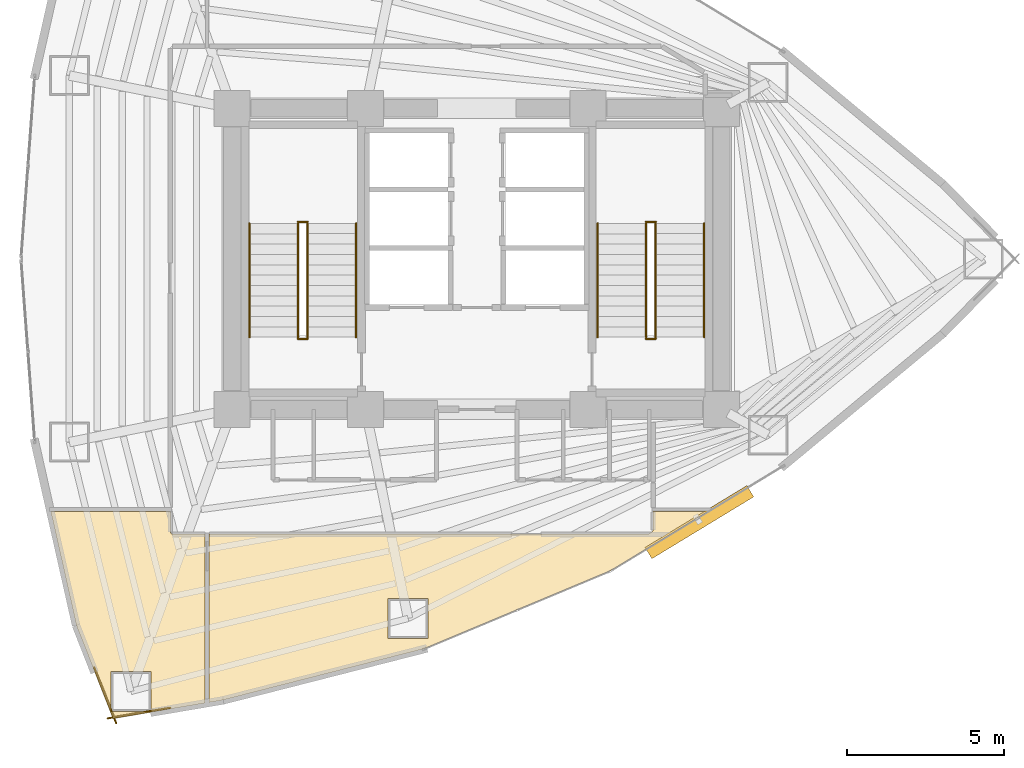
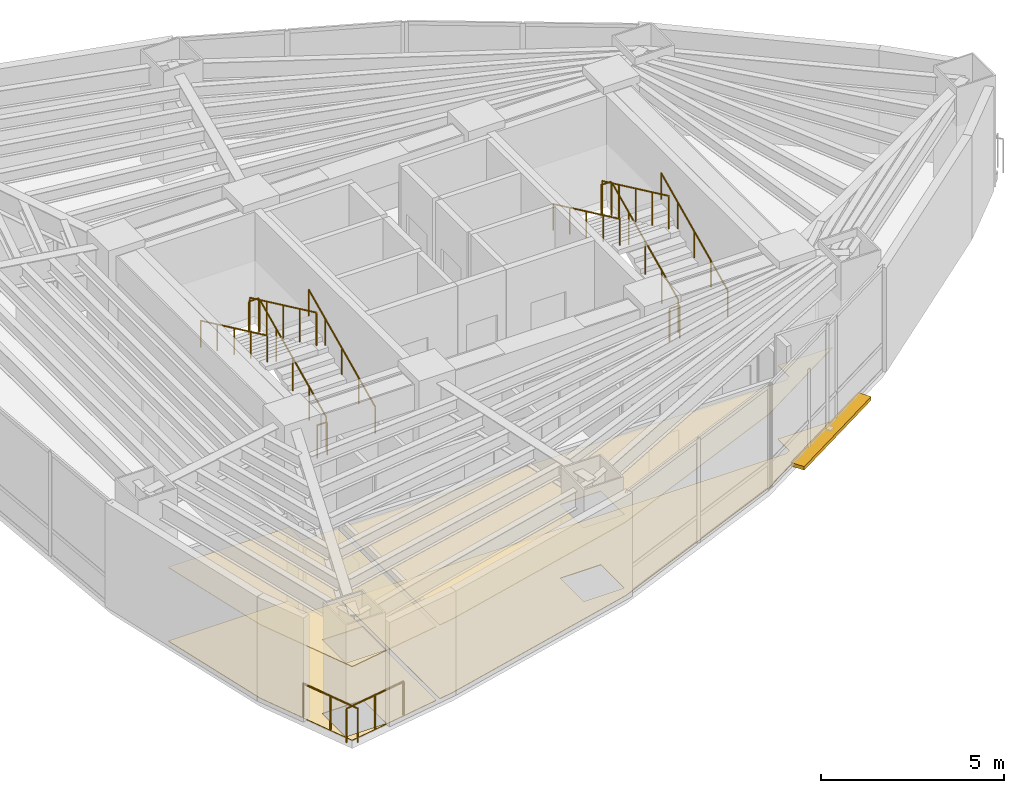
# One storey, part 17 of 18: 14 railings, 4 coverings, 1 shading device.
"""IFC4 building model written with IfcOpenShell, lengths in metres."""

import ifcopenshell
import ifcopenshell.guid

model = None  # the IFC model being written
_history = None  # IfcOwnerHistory: only IFC2X3 demands one
_inside = {}  # id of a spatial element -> (the spatial element, [elements in it])
_under = {}  # id of a project, library or spatial element -> (it, [spatial elements below it])
_declared = {}  # id of a project -> (the project, [libraries it declares])
_typed = {}  # id of a type object -> (the type object, [elements of that type])
_made_of = {}  # id of a material, layer set ... -> (it, [elements and type objects made of it])


def new_model(schema):
    """Start an empty IFC model of exactly this schema.

    Asked for "IFC4X3", IfcOpenShell would pick the latest addendum, in which some entities
    have other attributes; the version numbers below select the first issue.
    IFC2X3 requires an IfcOwnerHistory on every rooted entity: one is made here for all.
    """
    global model, _history
    if schema == "IFC4X3":
        model = ifcopenshell.file(schema_version=(4, 3, 0, 0))
    else:
        model = ifcopenshell.file(schema=schema)
    _inside.clear()
    _under.clear()
    _declared.clear()
    _typed.clear()
    _made_of.clear()
    _history = None
    if model.schema == "IFC2X3":
        org = make("IfcOrganization", Name="unknown")
        user = make(
            "IfcPersonAndOrganization",
            ThePerson=make("IfcPerson", FamilyName="unknown"),
            TheOrganization=org,
        )
        app = make(
            "IfcApplication",
            ApplicationDeveloper=org,
            Version="unknown",
            ApplicationFullName="unknown",
            ApplicationIdentifier="unknown",
        )
        _history = make(
            "IfcOwnerHistory",
            OwningUser=user,
            OwningApplication=app,
            ChangeAction="ADDED",
            CreationDate=0,
        )
    return model


def make(cls, **values):
    """One entity of the class cls with the attributes given. An attribute that is None is left unset."""
    return model.create_entity(
        cls, **{name: value for name, value in values.items() if value is not None}
    )


def rooted(cls, **values):
    """An entity with a GlobalId (a new one), such as an element, a storey or a relation."""
    return make(cls, GlobalId=ifcopenshell.guid.new(), OwnerHistory=_history, **values)


def si_unit(unit_type, name, prefix=None):
    """IfcSIUnit, for example si_unit("LENGTHUNIT", "METRE", prefix="MILLI")."""
    return make("IfcSIUnit", UnitType=unit_type, Prefix=prefix, Name=name)


def assignment(units):
    """IfcUnitAssignment: the units of a project."""
    return None if units is None else make("IfcUnitAssignment", Units=units)


def point(xyz):
    """IfcCartesianPoint."""
    return None if xyz is None else make("IfcCartesianPoint", Coordinates=xyz)


def direction(xyz):
    """IfcDirection."""
    return None if xyz is None else make("IfcDirection", DirectionRatios=xyz)


def frame(location, z_axis=None, x_axis=None):
    """IfcAxis2Placement3D, a coordinate frame: its origin and axes. An axis left out is left unset."""
    return make(
        "IfcAxis2Placement3D",
        Location=point(location),
        Axis=direction(z_axis),
        RefDirection=direction(x_axis),
    )


def frame_2d(location, x_axis=None):
    """IfcAxis2Placement2D, a coordinate frame in the plane: its origin and x axis."""
    return make(
        "IfcAxis2Placement2D", Location=point(location), RefDirection=direction(x_axis)
    )


def origin():
    """The frame at (0, 0, 0) with its axes left unset."""
    return frame((0.0, 0.0, 0.0))


def origin_2d():
    """The frame at (0, 0) in the plane with its x axis left unset."""
    return frame_2d((0.0, 0.0))


def place(relative_to, where):
    """IfcLocalPlacement: puts the frame where relative to a parent placement (None: the world)."""
    return make(
        "IfcLocalPlacement", PlacementRelTo=relative_to, RelativePlacement=where
    )


def context(
    kind, dimensions, precision=None, world=None, true_north=None, identifier=None
):
    """IfcGeometricRepresentationContext, for example the 3D "Model" context."""
    return make(
        "IfcGeometricRepresentationContext",
        ContextIdentifier=identifier,
        ContextType=kind,
        CoordinateSpaceDimension=dimensions,
        Precision=precision,
        WorldCoordinateSystem=world,
        TrueNorth=true_north,
    )


def subcontext(parent, identifier, kind, view, scale=None):
    """IfcGeometricRepresentationSubContext, for example "Body" below "Model"."""
    return make(
        "IfcGeometricRepresentationSubContext",
        ContextIdentifier=identifier,
        ContextType=kind,
        ParentContext=parent,
        TargetScale=scale,
        TargetView=view,
    )


def project(units=None, contexts=None):
    """IfcProject with its units and contexts."""
    return rooted(
        "IfcProject",
        Name="project",
        RepresentationContexts=contexts,
        UnitsInContext=assignment(units),
    )


def spatial(cls, under=None, at=None, **own):
    """A site, building, storey or space (cls), placed at a placement, below another one or the project."""
    s = rooted(cls, ObjectPlacement=at, **own)
    if under is not None:
        _under.setdefault(under.id(), (under, []))[1].append(s)
    return s


def polyline(points):
    """IfcPolyline through the points."""
    return make("IfcPolyline", Points=[point(p) for p in points])


def profile(cls, at=None, kind="AREA", **sizes):
    """A parametric profile (cls). Its sizes go by their IFC names, for example OverallWidth=200.0."""
    return make(cls, ProfileType=kind, Position=at, **sizes)


def rectangle(**sizes):
    """IfcRectangleProfileDef."""
    return profile("IfcRectangleProfileDef", **sizes)


def circle(**sizes):
    """IfcCircleProfileDef."""
    return profile("IfcCircleProfileDef", **sizes)


def outline(outer, holes=None, kind="AREA"):
    """IfcArbitraryClosedProfileDef: a profile drawn as a closed curve; with holes, ...WithVoids."""
    if holes is None:
        return make("IfcArbitraryClosedProfileDef", ProfileType=kind, OuterCurve=outer)
    return make(
        "IfcArbitraryProfileDefWithVoids",
        ProfileType=kind,
        OuterCurve=outer,
        InnerCurves=holes,
    )


def extrude(swept, where, along, depth):
    """IfcExtrudedAreaSolid: the profile swept, set in the frame where, extruded along a direction by depth."""
    return make(
        "IfcExtrudedAreaSolid",
        SweptArea=swept,
        Position=where,
        ExtrudedDirection=direction(along),
        Depth=depth,
    )


def shape(context_of_items, identifier, shape_type, items):
    """IfcShapeRepresentation: the items that make up one representation, for example the "Body"."""
    return make(
        "IfcShapeRepresentation",
        ContextOfItems=context_of_items,
        RepresentationIdentifier=identifier,
        RepresentationType=shape_type,
        Items=items,
    )


def material(Name=None, Category=None):
    """IfcMaterial."""
    return make("IfcMaterial", Name=Name, Category=Category)


def layer(
    of_material, thickness, ventilated=None, Name=None, Category=None, Priority=None
):
    """IfcMaterialLayer: one layer of a wall or slab, of a material (None: an air gap)."""
    return make(
        "IfcMaterialLayer",
        Material=of_material,
        LayerThickness=thickness,
        IsVentilated=ventilated,
        Name=Name,
        Category=Category,
        Priority=Priority,
    )


def layer_set(layers, Name=None):
    """IfcMaterialLayerSet."""
    return make("IfcMaterialLayerSet", MaterialLayers=layers, LayerSetName=Name)


def made_of(thing, what):
    """Note that an element or type object is made of a material, layer set ...; save() writes the relation."""
    if what is not None:
        _made_of.setdefault(what.id(), (what, []))[1].append(thing)
    return thing


def type_object(cls, material=None, **own):
    """A type object (cls), such as IfcWallType, which elements share."""
    return made_of(rooted(cls, **own), material)


def element(
    cls,
    number,
    at=None,
    inside=None,
    cuts=None,
    type_object=None,
    material=None,
    context=None,
    identifier="Body",
    shape_type=None,
    held_by="IfcProductDefinitionShape",
    body=None,
    shapes=None,
    **own,
):
    """One element of the class cls, such as IfcWall. Its Tag is "e" and its number.

    at: its placement. inside: the storey or other place that contains it. cuts: it is an
    opening in that element (IfcRelVoidsElement). A single representation is given by context,
    identifier, shape_type and body (its items); several are given by shapes. held_by: the class
    of the entity that holds the representations. save() writes the other relations.
    """
    e = rooted(cls, Tag="e%d" % number, ObjectPlacement=at, **own)
    if body is not None:
        shapes = [shape(context, identifier, shape_type, body)]
    if shapes is not None:
        e.Representation = make(held_by, Representations=shapes)
    if inside is not None:
        _inside.setdefault(inside.id(), (inside, []))[1].append(e)
    if cuts is not None:
        rooted(
            "IfcRelVoidsElement", RelatingBuildingElement=cuts, RelatedOpeningElement=e
        )
    if type_object is not None:
        _typed.setdefault(type_object.id(), (type_object, []))[1].append(e)
    return made_of(e, material)


def aggregate(whole, parts):
    """IfcRelAggregates: a whole, such as a stair, and the parts it consists of."""
    return rooted("IfcRelAggregates", RelatingObject=whole, RelatedObjects=parts)


def save(model, path):
    """Write the relations noted so far, then the file.

    IfcRelAggregates (storeys below a building ...), IfcRelContainedInSpatialStructure (elements
    in a storey), IfcRelDefinesByType, IfcRelAssociatesMaterial and IfcRelDeclares: one each for
    every whole, place, type object, material and project.
    """
    for whole, parts in _under.values():
        aggregate(whole, parts)
    for where, things in _inside.values():
        rooted(
            "IfcRelContainedInSpatialStructure",
            RelatedElements=things,
            RelatingStructure=where,
        )
    for kind, things in _typed.values():
        rooted("IfcRelDefinesByType", RelatedObjects=things, RelatingType=kind)
    for what, things in _made_of.values():
        rooted("IfcRelAssociatesMaterial", RelatedObjects=things, RelatingMaterial=what)
    for by, libraries in _declared.values():
        rooted("IfcRelDeclares", RelatingContext=by, RelatedDefinitions=libraries)
    model.write(path)


model = new_model("IFC4")

# Units and contexts
model_context = context("Model", 3, precision=1e-05, world=origin(), true_north=direction((0.0, 1.0)))
body_context = subcontext(model_context, "Body", "Model", "MODEL_VIEW")
ifc_project = project(units=[si_unit("LENGTHUNIT", "METRE"), si_unit("AREAUNIT", "SQUARE_METRE"), si_unit("VOLUMEUNIT", "CUBIC_METRE"), si_unit("PLANEANGLEUNIT", "RADIAN"), si_unit("MASSUNIT", "GRAM", prefix="KILO")], contexts=[model_context])

# Site, building, storey
site_placement = place(None, origin())
site = spatial("IfcSite", under=ifc_project, at=site_placement, CompositionType="ELEMENT")
building_placement = place(site_placement, origin())
building = spatial("IfcBuilding", under=site, at=building_placement, Name="Menara Vayukalpa", CompositionType="ELEMENT")
storey_placement = place(building_placement, frame((0.0, 0.0, 96.5400390625)))
storey = spatial("IfcBuildingStorey", under=building, at=storey_placement, Name="L23", CompositionType="ELEMENT", Elevation=96.5400390625)

# Coverings
ifc_material_1 = material(Name="Mineral Fibre Acoustic Ceiling Tile", Category="masonry")
ifc_layer_1 = layer(ifc_material_1, 0.02490234375)
ifc_layer_set_1 = layer_set([ifc_layer_1], Name="Mineral Fibre Acoustic Ceiling Tile")
covering_type_1 = type_object("IfcCoveringType", Name="COV-CLG1", PredefinedType="CEILING", material=ifc_layer_set_1)
covering_1_placement = place(storey_placement, frame((0.0, 0.0, 2.449951171875)))
element("IfcCovering", 1, at=covering_1_placement, inside=storey, type_object=covering_type_1, Name="L23 Executive Boardroom Acoustic Ceiling", PredefinedType="CEILING", context=body_context, shape_type="SweptSolid", body=[
    extrude(outline(polyline([(14.00634765625, 7.33642578125), (14.005615234375, 7.33642578125), (14.00439453125, 7.336669921875), (14.003662109375, 7.3369140625), (14.002685546875, 7.33740234375), (14.001708984375, 7.337646484375), (14.0009765625, 7.338134765625), (14.000244140625, 7.3388671875), (13.99951171875, 7.339599609375), (13.998779296875, 7.340087890625), (13.998291015625, 7.341064453125), (13.997802734375, 7.341796875), (13.997314453125, 7.3427734375), (12.831787109375, 10.310791015625), (12.83154296875, 10.3115234375), (12.831298828125, 10.312255859375), (12.017822265625, 13.927734375), (12.017578125, 13.9287109375), (12.017578125, 13.9296875), (12.017578125, 13.930908203125), (12.017822265625, 13.931884765625), (12.01806640625, 13.9326171875), (12.018310546875, 13.93359375), (12.018798828125, 13.9345703125), (12.019287109375, 13.935302734375), (12.019775390625, 13.936279296875), (12.0205078125, 13.93701171875), (12.021240234375, 13.937744140625), (12.02197265625, 13.938232421875), (12.022705078125, 13.938720703125), (12.023681640625, 13.939208984375), (12.024658203125, 13.939697265625), (12.025634765625, 13.939697265625), (12.026611328125, 13.93994140625), (12.027587890625, 13.93994140625), (15.820068359375, 13.93994140625), (15.821044921875, 13.93994140625), (15.822021484375, 13.939697265625), (15.822998046875, 13.939697265625), (15.82373046875, 13.939208984375), (15.82470703125, 13.938720703125), (15.82568359375, 13.938232421875), (15.826416015625, 13.937744140625), (15.8271484375, 13.93701171875), (15.82763671875, 13.936279296875), (15.828369140625, 13.935546875), (15.828857421875, 13.934814453125), (15.8291015625, 13.933837890625), (15.82958984375, 13.932861328125), (15.829833984375, 13.931884765625), (15.830078125, 13.930908203125), (15.830078125, 13.929931640625), (15.830078125, 13.290283203125), (15.830322265625, 13.283203125), (15.831298828125, 13.2763671875), (15.8330078125, 13.269775390625), (15.835205078125, 13.26318359375), (15.838134765625, 13.257080078125), (15.841796875, 13.251220703125), (15.845947265625, 13.24560546875), (15.8505859375, 13.240478515625), (15.85546875, 13.236083984375), (15.861083984375, 13.231689453125), (15.866943359375, 13.228271484375), (15.873291015625, 13.225341796875), (15.879638671875, 13.222900390625), (15.88623046875, 13.22119140625), (15.893310546875, 13.220458984375), (15.900390625, 13.219970703125), (16.929931640625, 13.219970703125), (16.930908203125, 13.219970703125), (16.931884765625, 13.2197265625), (16.932861328125, 13.219482421875), (16.933837890625, 13.21923828125), (16.934814453125, 13.21875), (16.935546875, 13.21826171875), (16.936279296875, 13.2177734375), (16.93701171875, 13.217041015625), (16.937744140625, 13.21630859375), (16.938232421875, 13.215576171875), (16.938720703125, 13.214599609375), (16.939208984375, 13.2138671875), (16.939697265625, 13.212890625), (16.939697265625, 13.2119140625), (16.93994140625, 13.2109375), (16.93994140625, 13.2099609375), (16.93994140625, 7.8427734375), (16.93994140625, 7.841796875), (16.939697265625, 7.8408203125), (16.939697265625, 7.839599609375), (16.939208984375, 7.8388671875), (16.938720703125, 7.837890625), (16.938232421875, 7.8369140625), (16.9375, 7.836181640625), (16.93701171875, 7.83544921875), (16.936279296875, 7.8349609375), (16.935302734375, 7.834228515625), (16.9345703125, 7.833740234375), (16.93359375, 7.83349609375), (16.9326171875, 7.8330078125), (16.931640625, 7.832763671875), (14.00830078125, 7.33642578125), (14.00732421875, 7.33642578125), (14.00634765625, 7.33642578125)]), holes=[polyline([(15.208984375, 8.842529296875), (13.92919921875, 8.842529296875), (13.92919921875, 7.5625), (15.208984375, 7.5625), (15.208984375, 8.842529296875)])]), origin(), (0.0, 0.0, 1.0), 0.02490234375),
])
covering_2_placement = place(storey_placement, frame((0.0, 0.0, 2.449951171875)))
element("IfcCovering", 2, at=covering_2_placement, inside=storey, type_object=covering_type_1, Name="L23 Digital Engineering Lab Acoustic Ceiling", PredefinedType="CEILING", context=body_context, shape_type="SweptSolid", body=[
    extrude(outline(polyline([(29.860595703125, 12.053466796875), (23.90478515625, 9.562255859375), (23.903564453125, 9.561767578125), (17.5087890625, 7.930908203125), (17.5078125, 7.9306640625), (17.07177734375, 7.8564453125), (17.07080078125, 7.8564453125), (17.06982421875, 7.8564453125), (17.06884765625, 7.8564453125), (17.06787109375, 7.856689453125), (17.06689453125, 7.85693359375), (17.06591796875, 7.857177734375), (17.065185546875, 7.857666015625), (17.064208984375, 7.858154296875), (17.0634765625, 7.85888671875), (17.062744140625, 7.859375), (17.062255859375, 7.860107421875), (17.0615234375, 7.86083984375), (17.06103515625, 7.86181640625), (17.060791015625, 7.862548828125), (17.060302734375, 7.863525390625), (17.060302734375, 7.864501953125), (17.06005859375, 7.865478515625), (17.06005859375, 7.866455078125), (17.06005859375, 13.2099609375), (17.06005859375, 13.2109375), (17.060302734375, 13.2119140625), (17.060302734375, 13.212890625), (17.060791015625, 13.2138671875), (17.061279296875, 13.214599609375), (17.061767578125, 13.215576171875), (17.062255859375, 13.21630859375), (17.06298828125, 13.217041015625), (17.063720703125, 13.2177734375), (17.064453125, 13.21826171875), (17.065185546875, 13.21875), (17.066162109375, 13.21923828125), (17.067138671875, 13.219482421875), (17.068115234375, 13.2197265625), (17.069091796875, 13.219970703125), (17.070068359375, 13.219970703125), (31.048828125, 13.219970703125), (31.055419921875, 13.22021484375), (31.0615234375, 13.22119140625), (31.06787109375, 13.22265625), (31.073974609375, 13.224609375), (31.079833984375, 13.22705078125), (31.085693359375, 13.230224609375), (31.186279296875, 13.29150390625), (31.192138671875, 13.295654296875), (31.19775390625, 13.30029296875), (31.202880859375, 13.305419921875), (31.207275390625, 13.31103515625), (31.2109375, 13.317138671875), (31.214111328125, 13.323486328125), (31.216796875, 13.330078125), (31.218505859375, 13.337158203125), (31.219482421875, 13.34423828125), (31.219970703125, 13.3515625), (31.219970703125, 13.929931640625), (31.219970703125, 13.930908203125), (31.22021484375, 13.931884765625), (31.220458984375, 13.932861328125), (31.220703125, 13.933837890625), (31.22119140625, 13.934814453125), (31.2216796875, 13.935546875), (31.222412109375, 13.936279296875), (31.222900390625, 13.93701171875), (31.2236328125, 13.937744140625), (31.224365234375, 13.938232421875), (31.225341796875, 13.938720703125), (31.226318359375, 13.939208984375), (31.22705078125, 13.939697265625), (31.22802734375, 13.939697265625), (31.22900390625, 13.93994140625), (31.22998046875, 13.93994140625), (32.9306640625, 13.93994140625), (32.931640625, 13.93994140625), (32.9326171875, 13.939697265625), (32.93359375, 13.939697265625), (32.9345703125, 13.939208984375), (32.935546875, 13.938720703125), (32.936279296875, 13.938232421875), (32.93701171875, 13.937744140625), (32.93798828125, 13.93701171875), (32.9384765625, 13.936279296875), (32.939208984375, 13.935302734375), (32.939697265625, 13.9345703125), (32.93994140625, 13.93359375), (32.940185546875, 13.9326171875), (32.940673828125, 13.931640625), (32.940673828125, 13.9306640625), (32.940673828125, 13.9296875), (32.940673828125, 13.9287109375), (32.9404296875, 13.927734375), (32.940185546875, 13.9267578125), (32.939697265625, 13.92578125), (32.939208984375, 13.925048828125), (32.938720703125, 13.924072265625), (32.938232421875, 13.92333984375), (32.9375, 13.922607421875), (32.936767578125, 13.922119140625), (32.935791015625, 13.92138671875), (29.862060546875, 12.05419921875), (29.861328125, 12.0537109375), (29.860595703125, 12.053466796875)]), holes=[polyline([(24.048095703125, 11.172607421875), (22.768310546875, 11.172607421875), (22.768310546875, 9.892578125), (24.048095703125, 9.892578125), (24.048095703125, 11.172607421875)])]), origin(), (0.0, 0.0, 1.0), 0.02490234375),
])
ifc_material_2 = material(Name="Porcelain Stoneware Floor Tile", Category="masonry")
ifc_layer_2 = layer(ifc_material_2, 0.02001953125)
ifc_layer_set_2 = layer_set([ifc_layer_2], Name="Porcelain Stoneware Floor Tile")
covering_type_2 = type_object("IfcCoveringType", Name="COV-FLR1", PredefinedType="FLOORING", material=ifc_layer_set_2)
covering_3_placement = place(storey_placement, origin())
element("IfcCovering", 3, at=covering_3_placement, inside=storey, type_object=covering_type_2, Name="L23 Executive Boardroom Porcelain Flooring", PredefinedType="FLOORING", context=body_context, shape_type="SweptSolid", body=[
    extrude(outline(polyline([(14.00634765625, 7.33642578125), (14.005615234375, 7.33642578125), (14.00439453125, 7.336669921875), (14.003662109375, 7.3369140625), (14.002685546875, 7.33740234375), (14.001708984375, 7.337646484375), (14.0009765625, 7.338134765625), (14.000244140625, 7.3388671875), (13.99951171875, 7.339599609375), (13.998779296875, 7.340087890625), (13.998291015625, 7.341064453125), (13.997802734375, 7.341796875), (13.997314453125, 7.3427734375), (12.831787109375, 10.310791015625), (12.83154296875, 10.3115234375), (12.831298828125, 10.312255859375), (12.017822265625, 13.927734375), (12.017578125, 13.9287109375), (12.017578125, 13.9296875), (12.017578125, 13.930908203125), (12.017822265625, 13.931884765625), (12.01806640625, 13.9326171875), (12.018310546875, 13.93359375), (12.018798828125, 13.9345703125), (12.019287109375, 13.935302734375), (12.019775390625, 13.936279296875), (12.0205078125, 13.93701171875), (12.021240234375, 13.937744140625), (12.02197265625, 13.938232421875), (12.022705078125, 13.938720703125), (12.023681640625, 13.939208984375), (12.024658203125, 13.939697265625), (12.025634765625, 13.939697265625), (12.026611328125, 13.93994140625), (12.027587890625, 13.93994140625), (15.820068359375, 13.93994140625), (15.821044921875, 13.93994140625), (15.822021484375, 13.939697265625), (15.822998046875, 13.939697265625), (15.82373046875, 13.939208984375), (15.82470703125, 13.938720703125), (15.82568359375, 13.938232421875), (15.826416015625, 13.937744140625), (15.8271484375, 13.93701171875), (15.82763671875, 13.936279296875), (15.828369140625, 13.935546875), (15.828857421875, 13.934814453125), (15.8291015625, 13.933837890625), (15.82958984375, 13.932861328125), (15.829833984375, 13.931884765625), (15.830078125, 13.930908203125), (15.830078125, 13.929931640625), (15.830078125, 13.290283203125), (15.830322265625, 13.283203125), (15.831298828125, 13.2763671875), (15.8330078125, 13.269775390625), (15.835205078125, 13.26318359375), (15.838134765625, 13.257080078125), (15.841796875, 13.251220703125), (15.845947265625, 13.24560546875), (15.8505859375, 13.240478515625), (15.85546875, 13.236083984375), (15.861083984375, 13.231689453125), (15.866943359375, 13.228271484375), (15.873291015625, 13.225341796875), (15.879638671875, 13.222900390625), (15.88623046875, 13.22119140625), (15.893310546875, 13.220458984375), (15.900390625, 13.219970703125), (16.929931640625, 13.219970703125), (16.930908203125, 13.219970703125), (16.931884765625, 13.2197265625), (16.932861328125, 13.219482421875), (16.933837890625, 13.21923828125), (16.934814453125, 13.21875), (16.935546875, 13.21826171875), (16.936279296875, 13.2177734375), (16.93701171875, 13.217041015625), (16.937744140625, 13.21630859375), (16.938232421875, 13.215576171875), (16.938720703125, 13.214599609375), (16.939208984375, 13.2138671875), (16.939697265625, 13.212890625), (16.939697265625, 13.2119140625), (16.93994140625, 13.2109375), (16.93994140625, 13.2099609375), (16.93994140625, 7.8427734375), (16.93994140625, 7.841796875), (16.939697265625, 7.8408203125), (16.939697265625, 7.839599609375), (16.939208984375, 7.8388671875), (16.938720703125, 7.837890625), (16.938232421875, 7.8369140625), (16.9375, 7.836181640625), (16.93701171875, 7.83544921875), (16.936279296875, 7.8349609375), (16.935302734375, 7.834228515625), (16.9345703125, 7.833740234375), (16.93359375, 7.83349609375), (16.9326171875, 7.8330078125), (16.931640625, 7.832763671875), (14.00830078125, 7.33642578125), (14.00732421875, 7.33642578125), (14.00634765625, 7.33642578125)]), holes=[polyline([(15.208984375, 8.842529296875), (13.92919921875, 8.842529296875), (13.92919921875, 7.5625), (15.208984375, 7.5625), (15.208984375, 8.842529296875)])]), origin(), (0.0, 0.0, 1.0), 0.02001953125),
])
covering_4_placement = place(storey_placement, origin())
element("IfcCovering", 4, at=covering_4_placement, inside=storey, type_object=covering_type_2, Name="L23 Digital Engineering Lab Porcelain Flooring", PredefinedType="FLOORING", context=body_context, shape_type="SweptSolid", body=[
    extrude(outline(polyline([(29.860595703125, 12.053466796875), (23.90478515625, 9.562255859375), (23.903564453125, 9.561767578125), (17.5087890625, 7.930908203125), (17.5078125, 7.9306640625), (17.07177734375, 7.8564453125), (17.07080078125, 7.8564453125), (17.06982421875, 7.8564453125), (17.06884765625, 7.8564453125), (17.06787109375, 7.856689453125), (17.06689453125, 7.85693359375), (17.06591796875, 7.857177734375), (17.065185546875, 7.857666015625), (17.064208984375, 7.858154296875), (17.0634765625, 7.85888671875), (17.062744140625, 7.859375), (17.062255859375, 7.860107421875), (17.0615234375, 7.86083984375), (17.06103515625, 7.86181640625), (17.060791015625, 7.862548828125), (17.060302734375, 7.863525390625), (17.060302734375, 7.864501953125), (17.06005859375, 7.865478515625), (17.06005859375, 7.866455078125), (17.06005859375, 13.2099609375), (17.06005859375, 13.2109375), (17.060302734375, 13.2119140625), (17.060302734375, 13.212890625), (17.060791015625, 13.2138671875), (17.061279296875, 13.214599609375), (17.061767578125, 13.215576171875), (17.062255859375, 13.21630859375), (17.06298828125, 13.217041015625), (17.063720703125, 13.2177734375), (17.064453125, 13.21826171875), (17.065185546875, 13.21875), (17.066162109375, 13.21923828125), (17.067138671875, 13.219482421875), (17.068115234375, 13.2197265625), (17.069091796875, 13.219970703125), (17.070068359375, 13.219970703125), (31.048828125, 13.219970703125), (31.055419921875, 13.22021484375), (31.0615234375, 13.22119140625), (31.06787109375, 13.22265625), (31.073974609375, 13.224609375), (31.079833984375, 13.22705078125), (31.085693359375, 13.230224609375), (31.186279296875, 13.29150390625), (31.192138671875, 13.295654296875), (31.19775390625, 13.30029296875), (31.202880859375, 13.305419921875), (31.207275390625, 13.31103515625), (31.2109375, 13.317138671875), (31.214111328125, 13.323486328125), (31.216796875, 13.330078125), (31.218505859375, 13.337158203125), (31.219482421875, 13.34423828125), (31.219970703125, 13.3515625), (31.219970703125, 13.929931640625), (31.219970703125, 13.930908203125), (31.22021484375, 13.931884765625), (31.220458984375, 13.932861328125), (31.220703125, 13.933837890625), (31.22119140625, 13.934814453125), (31.2216796875, 13.935546875), (31.222412109375, 13.936279296875), (31.222900390625, 13.93701171875), (31.2236328125, 13.937744140625), (31.224365234375, 13.938232421875), (31.225341796875, 13.938720703125), (31.226318359375, 13.939208984375), (31.22705078125, 13.939697265625), (31.22802734375, 13.939697265625), (31.22900390625, 13.93994140625), (31.22998046875, 13.93994140625), (32.9306640625, 13.93994140625), (32.931640625, 13.93994140625), (32.9326171875, 13.939697265625), (32.93359375, 13.939697265625), (32.9345703125, 13.939208984375), (32.935546875, 13.938720703125), (32.936279296875, 13.938232421875), (32.93701171875, 13.937744140625), (32.93798828125, 13.93701171875), (32.9384765625, 13.936279296875), (32.939208984375, 13.935302734375), (32.939697265625, 13.9345703125), (32.93994140625, 13.93359375), (32.940185546875, 13.9326171875), (32.940673828125, 13.931640625), (32.940673828125, 13.9306640625), (32.940673828125, 13.9296875), (32.940673828125, 13.9287109375), (32.9404296875, 13.927734375), (32.940185546875, 13.9267578125), (32.939697265625, 13.92578125), (32.939208984375, 13.925048828125), (32.938720703125, 13.924072265625), (32.938232421875, 13.92333984375), (32.9375, 13.922607421875), (32.936767578125, 13.922119140625), (32.935791015625, 13.92138671875), (29.862060546875, 12.05419921875), (29.861328125, 12.0537109375), (29.860595703125, 12.053466796875)]), holes=[polyline([(24.048095703125, 11.172607421875), (22.768310546875, 11.172607421875), (22.768310546875, 9.892578125), (24.048095703125, 9.892578125), (24.048095703125, 11.172607421875)])]), origin(), (0.0, 0.0, 1.0), 0.02001953125),
])

# Railings
ifc_material_3 = material(Name="Laminated Glass and Stainless Steel 316 Guardrail", Category="steel")
railing_type_1 = type_object("IfcRailingType", Name="RLG-EXT115", PredefinedType="GUARDRAIL", material=ifc_material_3)
railing_1_placement = place(storey_placement, frame((13.39990234375, 8.9736328125, 0.0)))
element("IfcRailing", 5, at=railing_1_placement, inside=storey, type_object=railing_type_1, Name="L23 Column Corner Spandrel Guardrail 13-1", PredefinedType="GUARDRAIL", context=body_context, shape_type="SweptSolid", body=[
    extrude(circle(Radius=0.02392578125, at=origin_2d()), frame((0.0, 0.0, 1.1259765625), z_axis=(0.365573386764, -0.930782519652, 0.0), x_axis=(0.930782519652, 0.365573386764, 0.0)), (0.0, 0.0, 1.0), 1.91259765625),
    extrude(circle(Radius=0.02099609375, at=origin_2d()), origin(), (0.0, 0.0, 1.0), 1.101806640625),
    extrude(circle(Radius=0.02099609375, at=origin_2d()), frame((0.349609375, -0.89013671875, 0.0)), (0.0, 0.0, 1.0), 1.101806640625),
    extrude(circle(Radius=0.02099609375, at=origin_2d()), frame((0.69921875, -1.7802734375, 0.0)), (0.0, 0.0, 1.0), 1.101806640625),
])
railing_2_placement = place(storey_placement, frame((13.827880859375, 7.346435546875, 0.0)))
element("IfcRailing", 6, at=railing_2_placement, inside=storey, type_object=railing_type_1, Name="L23 Column Corner Spandrel Guardrail 14-1", PredefinedType="GUARDRAIL", context=body_context, shape_type="SweptSolid", body=[
    extrude(circle(Radius=0.02392578125, at=origin_2d()), frame((0.0, 0.0, 1.1259765625), z_axis=(0.985895977605, 0.16735925831, 0.0), x_axis=(-0.16735925831, 0.985895977605, 0.0)), (0.0, 0.0, 1.0), 2.01904296875),
    extrude(circle(Radius=0.02099609375, at=origin_2d()), origin(), (0.0, 0.0, 1.0), 1.101806640625),
    extrude(circle(Radius=0.02099609375, at=origin_2d()), frame((0.9951171875, 0.1689453125, 0.0)), (0.0, 0.0, 1.0), 1.101806640625),
    extrude(circle(Radius=0.02099609375, at=origin_2d()), frame((1.990478515625, 0.337890625, 0.0)), (0.0, 0.0, 1.0), 1.101806640625),
])
ifc_material_4 = material(Name="Powder-Coated Galvanised Steel Guardrail", Category="steel")
railing_type_2 = type_object("IfcRailingType", Name="RLG-STG110", PredefinedType="GUARDRAIL", material=ifc_material_4)
railing_3_placement = place(storey_placement, frame((20.199951171875, 19.5, 0.155029296875)))
element("IfcRailing", 7, at=railing_3_placement, inside=storey, type_object=railing_type_2, Name="L23 ST-1 stair guard 1", PredefinedType="GUARDRAIL", context=body_context, shape_type="SweptSolid", body=[
    extrude(circle(Radius=0.02392578125, at=origin_2d()), frame((0.0, 0.0, 1.09619140625), z_axis=(0.0, 0.90513990983, 0.425113800803), x_axis=(-1.0, 0.0, 0.0)), (0.0, 0.0, 1.0), 4.01025390625),
    extrude(circle(Radius=0.02099609375, at=origin_2d()), origin(), (0.0, 0.0, 1.0), 1.072021484375),
    extrude(circle(Radius=0.02099609375, at=origin_2d()), frame((0.0, 0.907470703125, 0.42626953125)), (0.0, 0.0, 1.0), 1.072021484375),
    extrude(circle(Radius=0.02099609375, at=origin_2d()), frame((0.0, 1.81494140625, 0.8525390625)), (0.0, 0.0, 1.0), 1.072021484375),
    extrude(circle(Radius=0.02099609375, at=origin_2d()), frame((0.0, 2.722412109375, 1.278564453125)), (0.0, 0.0, 1.0), 1.072021484375),
    extrude(circle(Radius=0.02099609375, at=origin_2d()), frame((0.0, 3.6298828125, 1.704833984375)), (0.0, 0.0, 1.0), 1.072021484375),
])
railing_4_placement = place(storey_placement, frame((20.2099609375, 23.179931640625, 1.85986328125)))
element("IfcRailing", 8, at=railing_4_placement, inside=storey, type_object=railing_type_2, Name="L23 ST-1 stair guard 2", PredefinedType="GUARDRAIL", context=body_context, shape_type="SweptSolid", body=[
    extrude(circle(Radius=0.02392578125, at=origin_2d()), frame((0.0, 0.0, 1.09619140625), z_axis=(-1.0, 0.0, 0.0), x_axis=(0.0, -1.0, 0.0)), (0.0, 0.0, 1.0), 0.320068359375),
    extrude(circle(Radius=0.02099609375, at=origin_2d()), origin(), (0.0, 0.0, 1.0), 1.072021484375),
    extrude(circle(Radius=0.02099609375, at=origin_2d()), frame((-0.320068359375, 0.0, 0.0)), (0.0, 0.0, 1.0), 1.072021484375),
])
railing_5_placement = place(storey_placement, frame((19.89990234375, 23.1298828125, 2.014892578125)))
element("IfcRailing", 9, at=railing_5_placement, inside=storey, type_object=railing_type_2, Name="L23 ST-1 stair guard 3", PredefinedType="GUARDRAIL", context=body_context, shape_type="SweptSolid", body=[
    extrude(circle(Radius=0.02392578125, at=origin_2d()), frame((0.0, 0.0, 1.09619140625), z_axis=(0.0, -0.90511648382, 0.425163675209), x_axis=(1.0, 0.0, 0.0)), (0.0, 0.0, 1.0), 4.010498046875),
    extrude(circle(Radius=0.02099609375, at=origin_2d()), origin(), (0.0, 0.0, 1.0), 1.072021484375),
    extrude(circle(Radius=0.02099609375, at=origin_2d()), frame((0.0, -0.907470703125, 0.42626953125)), (0.0, 0.0, 1.0), 1.072021484375),
    extrude(circle(Radius=0.02099609375, at=origin_2d()), frame((0.0, -1.81494140625, 0.8525390625)), (0.0, 0.0, 1.0), 1.072021484375),
    extrude(circle(Radius=0.02099609375, at=origin_2d()), frame((0.0, -2.722412109375, 1.27880859375)), (0.0, 0.0, 1.0), 1.072021484375),
    extrude(circle(Radius=0.02099609375, at=origin_2d()), frame((0.0, -3.6298828125, 1.705078125)), (0.0, 0.0, 1.0), 1.072021484375),
])
railing_6_placement = place(storey_placement, frame((20.2099609375, 19.449951171875, 0.0)))
element("IfcRailing", 10, at=railing_6_placement, inside=storey, type_object=railing_type_2, Name="L23 ST-1 stair guard 4", PredefinedType="GUARDRAIL", context=body_context, shape_type="SweptSolid", body=[
    extrude(circle(Radius=0.02392578125, at=origin_2d()), frame((0.0, 0.0, 1.09619140625), z_axis=(-1.0, 0.0, 0.0), x_axis=(0.0, -1.0, 0.0)), (0.0, 0.0, 1.0), 0.320068359375),
    extrude(circle(Radius=0.02099609375, at=origin_2d()), origin(), (0.0, 0.0, 1.0), 1.072021484375),
    extrude(circle(Radius=0.02099609375, at=origin_2d()), frame((-0.320068359375, 0.0, 0.0)), (0.0, 0.0, 1.0), 1.072021484375),
])
railing_7_placement = place(storey_placement, frame((31.300048828125, 19.5, 0.155029296875)))
element("IfcRailing", 11, at=railing_7_placement, inside=storey, type_object=railing_type_2, Name="L23 ST-2 stair guard 1", PredefinedType="GUARDRAIL", context=body_context, shape_type="SweptSolid", body=[
    extrude(circle(Radius=0.02392578125, at=origin_2d()), frame((0.0, 0.0, 1.09619140625), z_axis=(0.0, 0.90513990983, 0.425113800803), x_axis=(-1.0, 0.0, 0.0)), (0.0, 0.0, 1.0), 4.01025390625),
    extrude(circle(Radius=0.02099609375, at=origin_2d()), origin(), (0.0, 0.0, 1.0), 1.072021484375),
    extrude(circle(Radius=0.02099609375, at=origin_2d()), frame((0.0, 0.907470703125, 0.42626953125)), (0.0, 0.0, 1.0), 1.072021484375),
    extrude(circle(Radius=0.02099609375, at=origin_2d()), frame((0.0, 1.81494140625, 0.8525390625)), (0.0, 0.0, 1.0), 1.072021484375),
    extrude(circle(Radius=0.02099609375, at=origin_2d()), frame((0.0, 2.722412109375, 1.278564453125)), (0.0, 0.0, 1.0), 1.072021484375),
    extrude(circle(Radius=0.02099609375, at=origin_2d()), frame((0.0, 3.6298828125, 1.704833984375)), (0.0, 0.0, 1.0), 1.072021484375),
])
railing_8_placement = place(storey_placement, frame((31.31005859375, 23.179931640625, 1.85986328125)))
element("IfcRailing", 12, at=railing_8_placement, inside=storey, type_object=railing_type_2, Name="L23 ST-2 stair guard 2", PredefinedType="GUARDRAIL", context=body_context, shape_type="SweptSolid", body=[
    extrude(circle(Radius=0.02392578125, at=origin_2d()), frame((0.0, 0.0, 1.09619140625), z_axis=(-1.0, 0.0, 0.0), x_axis=(0.0, -1.0, 0.0)), (0.0, 0.0, 1.0), 0.320068359375),
    extrude(circle(Radius=0.02099609375, at=origin_2d()), origin(), (0.0, 0.0, 1.0), 1.072021484375),
    extrude(circle(Radius=0.02099609375, at=origin_2d()), frame((-0.320068359375, 0.0, 0.0)), (0.0, 0.0, 1.0), 1.072021484375),
])
railing_9_placement = place(storey_placement, frame((31.0, 23.1298828125, 2.014892578125)))
element("IfcRailing", 13, at=railing_9_placement, inside=storey, type_object=railing_type_2, Name="L23 ST-2 stair guard 3", PredefinedType="GUARDRAIL", context=body_context, shape_type="SweptSolid", body=[
    extrude(circle(Radius=0.02392578125, at=origin_2d()), frame((0.0, 0.0, 1.09619140625), z_axis=(0.0, -0.90511648382, 0.425163675209), x_axis=(1.0, 0.0, 0.0)), (0.0, 0.0, 1.0), 4.010498046875),
    extrude(circle(Radius=0.02099609375, at=origin_2d()), origin(), (0.0, 0.0, 1.0), 1.072021484375),
    extrude(circle(Radius=0.02099609375, at=origin_2d()), frame((0.0, -0.907470703125, 0.42626953125)), (0.0, 0.0, 1.0), 1.072021484375),
    extrude(circle(Radius=0.02099609375, at=origin_2d()), frame((0.0, -1.81494140625, 0.8525390625)), (0.0, 0.0, 1.0), 1.072021484375),
    extrude(circle(Radius=0.02099609375, at=origin_2d()), frame((0.0, -2.722412109375, 1.27880859375)), (0.0, 0.0, 1.0), 1.072021484375),
    extrude(circle(Radius=0.02099609375, at=origin_2d()), frame((0.0, -3.6298828125, 1.705078125)), (0.0, 0.0, 1.0), 1.072021484375),
])
railing_10_placement = place(storey_placement, frame((31.31005859375, 19.449951171875, 0.0)))
element("IfcRailing", 14, at=railing_10_placement, inside=storey, type_object=railing_type_2, Name="L23 ST-2 stair guard 4", PredefinedType="GUARDRAIL", context=body_context, shape_type="SweptSolid", body=[
    extrude(circle(Radius=0.02392578125, at=origin_2d()), frame((0.0, 0.0, 1.09619140625), z_axis=(-1.0, 0.0, 0.0), x_axis=(0.0, -1.0, 0.0)), (0.0, 0.0, 1.0), 0.320068359375),
    extrude(circle(Radius=0.02099609375, at=origin_2d()), origin(), (0.0, 0.0, 1.0), 1.072021484375),
    extrude(circle(Radius=0.02099609375, at=origin_2d()), frame((-0.320068359375, 0.0, 0.0)), (0.0, 0.0, 1.0), 1.072021484375),
])
ifc_material_5 = material(Name="Stainless Steel 316 Tubular Handrail", Category="steel")
railing_type_3 = type_object("IfcRailingType", Name="RLG-STH090", PredefinedType="HANDRAIL", material=ifc_material_5)
railing_11_placement = place(storey_placement, frame((21.75, 19.5, 0.155029296875)))
element("IfcRailing", 15, at=railing_11_placement, inside=storey, type_object=railing_type_3, Name="L23 ST-1 stair handrail 1", PredefinedType="HANDRAIL", context=body_context, shape_type="SweptSolid", body=[
    extrude(circle(Radius=0.02392578125, at=origin_2d()), frame((0.0, 0.0, 0.8759765625), z_axis=(0.0, 0.90513990983, 0.425113800803), x_axis=(-1.0, 0.0, 0.0)), (0.0, 0.0, 1.0), 4.01025390625),
    extrude(circle(Radius=0.02099609375, at=origin_2d()), origin(), (0.0, 0.0, 1.0), 0.851806640625),
    extrude(circle(Radius=0.02099609375, at=origin_2d()), frame((0.0, 0.907470703125, 0.42626953125)), (0.0, 0.0, 1.0), 0.851806640625),
    extrude(circle(Radius=0.02099609375, at=origin_2d()), frame((0.0, 1.81494140625, 0.8525390625)), (0.0, 0.0, 1.0), 0.851806640625),
    extrude(circle(Radius=0.02099609375, at=origin_2d()), frame((0.0, 2.722412109375, 1.278564453125)), (0.0, 0.0, 1.0), 0.851806640625),
    extrude(circle(Radius=0.02099609375, at=origin_2d()), frame((0.0, 3.6298828125, 1.704833984375)), (0.0, 0.0, 1.0), 0.851806640625),
])
railing_12_placement = place(storey_placement, frame((18.35009765625, 23.1298828125, 2.014892578125)))
element("IfcRailing", 16, at=railing_12_placement, inside=storey, type_object=railing_type_3, Name="L23 ST-1 stair handrail 2", PredefinedType="HANDRAIL", context=body_context, shape_type="SweptSolid", body=[
    extrude(circle(Radius=0.02392578125, at=origin_2d()), frame((0.0, 0.0, 0.8759765625), z_axis=(0.0, -0.90511648382, 0.425163675209), x_axis=(1.0, 0.0, 0.0)), (0.0, 0.0, 1.0), 4.010498046875),
    extrude(circle(Radius=0.02099609375, at=origin_2d()), origin(), (0.0, 0.0, 1.0), 0.851806640625),
    extrude(circle(Radius=0.02099609375, at=origin_2d()), frame((0.0, -0.907470703125, 0.42626953125)), (0.0, 0.0, 1.0), 0.851806640625),
    extrude(circle(Radius=0.02099609375, at=origin_2d()), frame((0.0, -1.81494140625, 0.8525390625)), (0.0, 0.0, 1.0), 0.851806640625),
    extrude(circle(Radius=0.02099609375, at=origin_2d()), frame((0.0, -2.722412109375, 1.27880859375)), (0.0, 0.0, 1.0), 0.851806640625),
    extrude(circle(Radius=0.02099609375, at=origin_2d()), frame((0.0, -3.6298828125, 1.705078125)), (0.0, 0.0, 1.0), 0.851806640625),
])
railing_13_placement = place(storey_placement, frame((32.85009765625, 19.5, 0.155029296875)))
element("IfcRailing", 17, at=railing_13_placement, inside=storey, type_object=railing_type_3, Name="L23 ST-2 stair handrail 1", PredefinedType="HANDRAIL", context=body_context, shape_type="SweptSolid", body=[
    extrude(circle(Radius=0.02392578125, at=origin_2d()), frame((0.0, 0.0, 0.8759765625), z_axis=(0.0, 0.90513990983, 0.425113800803), x_axis=(-1.0, 0.0, 0.0)), (0.0, 0.0, 1.0), 4.01025390625),
    extrude(circle(Radius=0.02099609375, at=origin_2d()), origin(), (0.0, 0.0, 1.0), 0.851806640625),
    extrude(circle(Radius=0.02099609375, at=origin_2d()), frame((0.0, 0.907470703125, 0.42626953125)), (0.0, 0.0, 1.0), 0.851806640625),
    extrude(circle(Radius=0.02099609375, at=origin_2d()), frame((0.0, 1.81494140625, 0.8525390625)), (0.0, 0.0, 1.0), 0.851806640625),
    extrude(circle(Radius=0.02099609375, at=origin_2d()), frame((0.0, 2.722412109375, 1.278564453125)), (0.0, 0.0, 1.0), 0.851806640625),
    extrude(circle(Radius=0.02099609375, at=origin_2d()), frame((0.0, 3.6298828125, 1.704833984375)), (0.0, 0.0, 1.0), 0.851806640625),
])
railing_14_placement = place(storey_placement, frame((29.449951171875, 23.1298828125, 2.014892578125)))
element("IfcRailing", 18, at=railing_14_placement, inside=storey, type_object=railing_type_3, Name="L23 ST-2 stair handrail 2", PredefinedType="HANDRAIL", context=body_context, shape_type="SweptSolid", body=[
    extrude(circle(Radius=0.02392578125, at=origin_2d()), frame((0.0, 0.0, 0.8759765625), z_axis=(0.0, -0.90511648382, 0.425163675209), x_axis=(1.0, 0.0, 0.0)), (0.0, 0.0, 1.0), 4.010498046875),
    extrude(circle(Radius=0.02099609375, at=origin_2d()), origin(), (0.0, 0.0, 1.0), 0.851806640625),
    extrude(circle(Radius=0.02099609375, at=origin_2d()), frame((0.0, -0.907470703125, 0.42626953125)), (0.0, 0.0, 1.0), 0.851806640625),
    extrude(circle(Radius=0.02099609375, at=origin_2d()), frame((0.0, -1.81494140625, 0.8525390625)), (0.0, 0.0, 1.0), 0.851806640625),
    extrude(circle(Radius=0.02099609375, at=origin_2d()), frame((0.0, -2.722412109375, 1.27880859375)), (0.0, 0.0, 1.0), 0.851806640625),
    extrude(circle(Radius=0.02099609375, at=origin_2d()), frame((0.0, -3.6298828125, 1.705078125)), (0.0, 0.0, 1.0), 0.851806640625),
])

# Shading device
ifc_material_6 = material(Name="Glazed Terracotta Ceramic Baguette Extrusion", Category="masonry")
ifc_layer_3 = layer(ifc_material_6, 0.1201171875)
ifc_layer_set_3 = layer_set([ifc_layer_3], Name="Glazed Terracotta Ceramic Baguette Extrusion")
shading_device_type = type_object("IfcShadingDeviceType", Name="SHD-SS1", PredefinedType="USERDEFINED", material=ifc_layer_set_3)
shading_device_placement = place(storey_placement, frame((32.698486328125, 13.601806640625, -0.10009765625), z_axis=(0.0, 0.0, 1.0), x_axis=(0.85466730962, 0.519176068272, 0.0)))
element("IfcShadingDevice", 19, at=shading_device_placement, inside=storey, type_object=shading_device_type, Name="L23 Horizontal Terracotta Sunshade Band 17", ObjectType="SUNSHADE", PredefinedType="USERDEFINED", context=body_context, shape_type="SweptSolid", body=[
    extrude(rectangle(XDim=3.800048828125, YDim=0.419921875, at=origin_2d()), origin(), (0.0, 0.0, 1.0), 0.1201171875),
])

save(model, "model.ifc")
